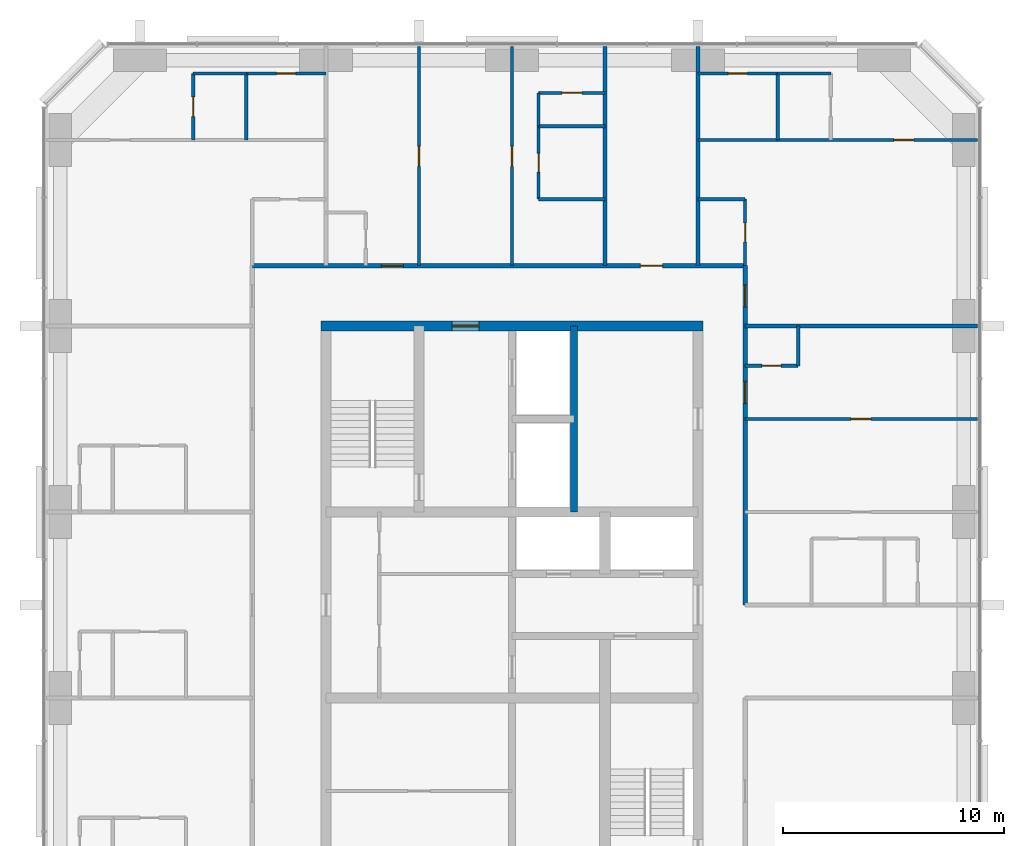
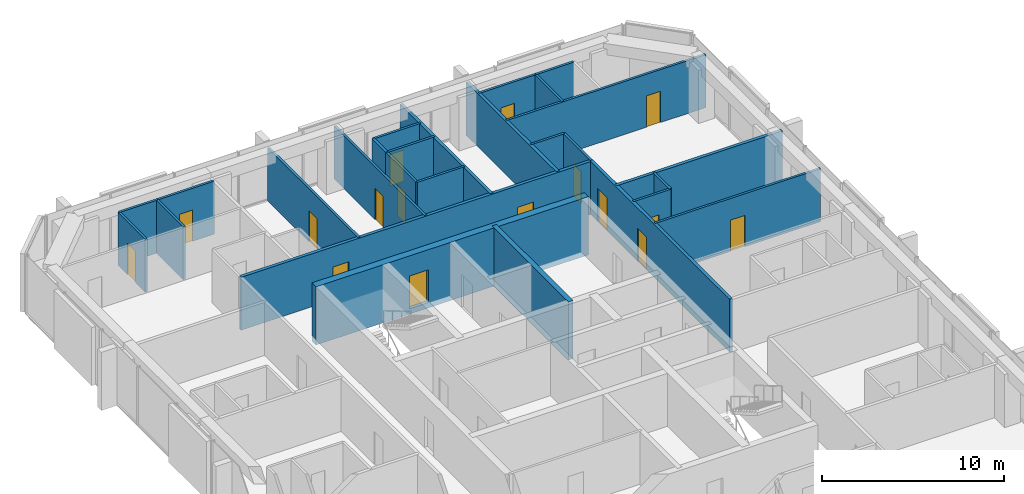
# One storey, part 10 of 12: 27 walls, 16 doors, 16 openings.
"""IFC4 building model written with IfcOpenShell, lengths in metres."""

from ifc_helpers import new_model, si_unit, direction, frame, frame_2d, origin, place, context, subcontext, project, spatial, rectangle, extrude, material, layer, layer_set, type_object, element, fill, save


model = new_model("IFC4")

# Units and contexts
model_context = context("Model", 3, precision=1e-05, world=origin(), true_north=direction((0.0, 1.0)))
body_context = subcontext(model_context, "Body", "Model", "MODEL_VIEW")
ifc_project = project(units=[si_unit("LENGTHUNIT", "METRE"), si_unit("AREAUNIT", "SQUARE_METRE"), si_unit("VOLUMEUNIT", "CUBIC_METRE"), si_unit("PLANEANGLEUNIT", "RADIAN"), si_unit("MASSUNIT", "GRAM", prefix="KILO")], contexts=[model_context])

# Site, building, storey
site_placement = place(None, origin())
site = spatial("IfcSite", under=ifc_project, at=site_placement, CompositionType="ELEMENT")
building_placement = place(site_placement, origin())
building = spatial("IfcBuilding", under=site, at=building_placement, Name="Dunama Terrace Hotel", CompositionType="ELEMENT")
storey_placement = place(building_placement, frame((0.0, 0.0, 245.10009765625)))
storey = spatial("IfcBuildingStorey", under=building, at=storey_placement, Name="L63", CompositionType="ELEMENT", Elevation=245.10009765625)

# Wall, opening, door
ifc_material_1 = material(Name="Gypsum board partition", Category="masonry")
ifc_layer_1 = layer(ifc_material_1, 0.14990234375)
ifc_layer_set_1 = layer_set([ifc_layer_1], Name="Bathroom partition 150")
wall_type_1 = type_object("IfcWallType", Name="Bathroom partition 150", PredefinedType="PARTITIONING", material=ifc_layer_set_1)
wall_1_placement = place(storey_placement, frame((34.800048828125, 47.72509765625, 0.0), z_axis=(0.0, 0.0, 1.0), x_axis=(0.0, 1.0, 0.0)))
wall_1 = element("IfcWall", 1, at=wall_1_placement, inside=storey, type_object=wall_type_1, Name="Bathroom partition 150 L63", PredefinedType="PARTITIONING", context=body_context, shape_type="SweptSolid", body=[
    extrude(rectangle(XDim=3.2998046875, YDim=0.14990234375, at=frame_2d((1.64990234375, 0.0))), origin(), (0.0, 0.0, 1.0), 3.5498046875),
])
opening_1_placement = place(wall_1_placement, frame((1.22509765625, 0.0, 0.0)))
opening_1 = element("IfcOpeningElement", 2, at=opening_1_placement, cuts=wall_1, Name="Opening L62-64-029", PredefinedType="OPENING", context=body_context, shape_type="SweptSolid", body=[
    extrude(rectangle(XDim=0.85009765625, YDim=2.10009765625, at=frame_2d((0.425048828125, 1.050048828125))), frame((0.0, 0.0849609375, 0.0), z_axis=(0.0, -1.0, 0.0), x_axis=(1.0, 0.0, 0.0)), (0.0, 0.0, 1.0), 0.169921875),
])
ifc_material_2 = material(Name="Timber door with steel frame", Category="steel")
door_type_1 = type_object("IfcDoorType", Name="Bathroom door 850", OperationType="SINGLE_SWING_LEFT", PredefinedType="DOOR", material=ifc_material_2)
door_1_placement = place(opening_1_placement, frame((0.85009765625, 0.0, 0.0), z_axis=(0.0, 0.0, 1.0), x_axis=(-1.0, 0.0, 0.0)))
door_1 = element("IfcDoor", 3, at=door_1_placement, inside=storey, type_object=door_type_1, Name="Door to en-suite bathroom L62-64-029, type D2", OperationType="SINGLE_SWING_RIGHT", OverallHeight=2.10009765625, OverallWidth=0.85009765625, PredefinedType="DOOR", context=body_context, shape_type="SweptSolid", body=[
    extrude(rectangle(XDim=0.85009765625, YDim=2.10009765625, at=frame_2d((0.425048828125, 1.050048828125))), frame((0.0, 0.025146484375, 0.0), z_axis=(0.0, -1.0, 0.0), x_axis=(1.0, 0.0, 0.0)), (0.0, 0.0, 1.0), 0.050048828125),
])
fill(opening_1, door_1)

wall_2_placement = place(storey_placement, frame((44.125, 44.72509765625, 0.0), z_axis=(0.0, 0.0, 1.0), x_axis=(0.0, 1.0, 0.0)))
wall_2 = element("IfcWall", 4, at=wall_2_placement, inside=storey, type_object=wall_type_1, Name="Bathroom partition 150 L63", PredefinedType="PARTITIONING", context=body_context, shape_type="SweptSolid", body=[
    extrude(rectangle(XDim=3.0, YDim=0.14990234375, at=frame_2d((1.5, 0.0))), origin(), (0.0, 0.0, 1.0), 3.5498046875),
])
opening_2_placement = place(wall_2_placement, frame((1.074951171875, 0.0, 0.0)))
opening_2 = element("IfcOpeningElement", 5, at=opening_2_placement, cuts=wall_2, Name="Opening L62-64-052", PredefinedType="OPENING", context=body_context, shape_type="SweptSolid", body=[
    extrude(rectangle(XDim=0.85009765625, YDim=2.10009765625, at=frame_2d((0.425048828125, 1.050048828125))), frame((0.0, 0.0849609375, 0.0), z_axis=(0.0, -1.0, 0.0), x_axis=(1.0, 0.0, 0.0)), (0.0, 0.0, 1.0), 0.169921875),
])
door_2_placement = place(opening_2_placement, origin())
door_2 = element("IfcDoor", 6, at=door_2_placement, inside=storey, type_object=door_type_1, Name="Door to powder room L62-64-052, type D2", OperationType="SINGLE_SWING_LEFT", OverallHeight=2.10009765625, OverallWidth=0.85009765625, PredefinedType="DOOR", context=body_context, shape_type="SweptSolid", body=[
    extrude(rectangle(XDim=0.85009765625, YDim=2.10009765625, at=frame_2d((0.425048828125, 1.050048828125))), frame((0.0, 0.02490234375, 0.0), z_axis=(0.0, -1.0, 0.0), x_axis=(1.0, 0.0, 0.0)), (0.0, 0.0, 1.0), 0.050048828125),
])
fill(opening_2, door_2)

# Wall
wall_3_placement = place(storey_placement, frame((46.52490234375, 40.199951171875, 0.0), z_axis=(0.0, 0.0, 1.0), x_axis=(0.0, 1.0, 0.0)))
element("IfcWall", 7, at=wall_3_placement, inside=storey, type_object=wall_type_1, Name="Bathroom partition 150 L63", PredefinedType="PARTITIONING", context=body_context, shape_type="SweptSolid", body=[
    extrude(rectangle(XDim=1.800048828125, YDim=0.14990234375, at=frame_2d((0.89990234375, 0.0))), origin(), (0.0, 0.0, 1.0), 3.5498046875),
])

# Wall, opening, door
wall_4_placement = place(storey_placement, frame((44.125, 40.199951171875, 0.0), z_axis=(0.0, 0.0, 1.0), x_axis=(1.0, 0.0, 0.0)))
wall_4 = element("IfcWall", 8, at=wall_4_placement, inside=storey, type_object=wall_type_1, Name="Bathroom partition 150 L63", PredefinedType="PARTITIONING", context=body_context, shape_type="SweptSolid", body=[
    extrude(rectangle(XDim=2.39990234375, YDim=0.14990234375, at=frame_2d((1.199951171875, 0.0))), origin(), (0.0, 0.0, 1.0), 3.5498046875),
])
opening_3_placement = place(wall_4_placement, frame((0.77490234375, 0.0, 0.0)))
opening_3 = element("IfcOpeningElement", 9, at=opening_3_placement, cuts=wall_4, Name="Opening L62-64-020", PredefinedType="OPENING", context=body_context, shape_type="SweptSolid", body=[
    extrude(rectangle(XDim=0.85009765625, YDim=2.10009765625, at=frame_2d((0.425048828125, 1.050048828125))), frame((0.0, 0.0849609375, 0.0), z_axis=(0.0, -1.0, 0.0), x_axis=(1.0, 0.0, 0.0)), (0.0, 0.0, 1.0), 0.169921875),
])
door_3_placement = place(opening_3_placement, origin())
door_3 = element("IfcDoor", 10, at=door_3_placement, inside=storey, type_object=door_type_1, Name="Door to powder room L62-64-020, type D2", OperationType="SINGLE_SWING_LEFT", OverallHeight=2.10009765625, OverallWidth=0.85009765625, PredefinedType="DOOR", context=body_context, shape_type="SweptSolid", body=[
    extrude(rectangle(XDim=0.85009765625, YDim=2.10009765625, at=frame_2d((0.425048828125, 1.050048828125))), frame((0.0, 0.02490234375, 0.0), z_axis=(0.0, -1.0, 0.0), x_axis=(1.0, 0.0, 0.0)), (0.0, 0.0, 1.0), 0.050048828125),
])
fill(opening_3, door_3)

# Walls
wall_5_placement = place(storey_placement, frame((34.800048828125, 47.72509765625, 0.0), z_axis=(0.0, 0.0, 1.0), x_axis=(1.0, 0.0, 0.0)))
element("IfcWall", 11, at=wall_5_placement, inside=storey, type_object=wall_type_1, Name="Bathroom partition 150 L63", PredefinedType="PARTITIONING", context=body_context, shape_type="SweptSolid", body=[
    extrude(rectangle(XDim=3.0, YDim=0.14990234375, at=frame_2d((1.5, 0.0))), origin(), (0.0, 0.0, 1.0), 3.5498046875),
])
wall_6_placement = place(storey_placement, frame((42.0, 47.72509765625, 0.0), z_axis=(0.0, 0.0, 1.0), x_axis=(1.0, 0.0, 0.0)))
element("IfcWall", 12, at=wall_6_placement, inside=storey, type_object=wall_type_1, Name="Bathroom partition 150 L63", PredefinedType="PARTITIONING", context=body_context, shape_type="SweptSolid", body=[
    extrude(rectangle(XDim=2.125, YDim=0.14990234375, at=frame_2d((1.0625, 0.0))), origin(), (0.0, 0.0, 1.0), 3.5498046875),
])

# Wall, opening, door
wall_7_placement = place(storey_placement, frame((21.60009765625, 53.39990234375, 0.0), z_axis=(0.0, 0.0, 1.0), x_axis=(1.0, 0.0, 0.0)))
wall_7 = element("IfcWall", 13, at=wall_7_placement, inside=storey, type_object=wall_type_1, Name="Bathroom partition 150 L63", PredefinedType="PARTITIONING", context=body_context, shape_type="SweptSolid", body=[
    extrude(rectangle(XDim=3.599853515625, YDim=0.14990234375, at=frame_2d((1.7998046875, 0.0))), origin(), (0.0, 0.0, 1.0), 3.5498046875),
])
opening_4_placement = place(wall_7_placement, frame((1.375, 0.0, 0.0)))
opening_4 = element("IfcOpeningElement", 14, at=opening_4_placement, cuts=wall_7, Name="Opening L62-64-059", PredefinedType="OPENING", context=body_context, shape_type="SweptSolid", body=[
    extrude(rectangle(XDim=0.85009765625, YDim=2.10009765625, at=frame_2d((0.425048828125, 1.050048828125))), frame((0.0, 0.0849609375, 0.0), z_axis=(0.0, -1.0, 0.0), x_axis=(1.0, 0.0, 0.0)), (0.0, 0.0, 1.0), 0.169921875),
])
door_4_placement = place(opening_4_placement, frame((0.85009765625, 0.0, 0.0), z_axis=(0.0, 0.0, 1.0), x_axis=(-1.0, 0.0, 0.0)))
door_4 = element("IfcDoor", 15, at=door_4_placement, inside=storey, type_object=door_type_1, Name="Door to en-suite bathroom L62-64-059, type D2", OperationType="SINGLE_SWING_LEFT", OverallHeight=2.10009765625, OverallWidth=0.85009765625, PredefinedType="DOOR", context=body_context, shape_type="SweptSolid", body=[
    extrude(rectangle(XDim=0.85009765625, YDim=2.10009765625, at=frame_2d((0.425048828125, 1.050048828125))), frame((0.0, 0.025146484375, 0.0), z_axis=(0.0, -1.0, 0.0), x_axis=(1.0, 0.0, 0.0)), (0.0, 0.0, 1.0), 0.050048828125),
])
fill(opening_4, door_4)

wall_8_placement = place(storey_placement, frame((42.0, 53.39990234375, 0.0), z_axis=(0.0, 0.0, 1.0), x_axis=(1.0, 0.0, 0.0)))
wall_8 = element("IfcWall", 16, at=wall_8_placement, inside=storey, type_object=wall_type_1, Name="Bathroom partition 150 L63", PredefinedType="PARTITIONING", context=body_context, shape_type="SweptSolid", body=[
    extrude(rectangle(XDim=3.60009765625, YDim=0.14990234375, at=frame_2d((1.800048828125, 0.0))), origin(), (0.0, 0.0, 1.0), 3.5498046875),
])
opening_5_placement = place(wall_8_placement, frame((1.375, 0.0, 0.0)))
opening_5 = element("IfcOpeningElement", 17, at=opening_5_placement, cuts=wall_8, Name="Opening L62-64-054", PredefinedType="OPENING", context=body_context, shape_type="SweptSolid", body=[
    extrude(rectangle(XDim=0.85009765625, YDim=2.10009765625, at=frame_2d((0.425048828125, 1.050048828125))), frame((0.0, 0.0849609375, 0.0), z_axis=(0.0, -1.0, 0.0), x_axis=(1.0, 0.0, 0.0)), (0.0, 0.0, 1.0), 0.169921875),
])
door_5_placement = place(opening_5_placement, frame((0.85009765625, 0.0, 0.0), z_axis=(0.0, 0.0, 1.0), x_axis=(-1.0, 0.0, 0.0)))
door_5 = element("IfcDoor", 18, at=door_5_placement, inside=storey, type_object=door_type_1, Name="Door to en-suite bathroom L62-64-054, type D2", OperationType="SINGLE_SWING_RIGHT", OverallHeight=2.10009765625, OverallWidth=0.85009765625, PredefinedType="DOOR", context=body_context, shape_type="SweptSolid", body=[
    extrude(rectangle(XDim=0.85009765625, YDim=2.10009765625, at=frame_2d((0.425048828125, 1.050048828125))), frame((0.0, 0.025146484375, 0.0), z_axis=(0.0, -1.0, 0.0), x_axis=(1.0, 0.0, 0.0)), (0.0, 0.0, 1.0), 0.050048828125),
])
fill(opening_5, door_5)

# Wall
ifc_material_3 = material(Name="Concrete C50/60", Category="concrete")
ifc_layer_2 = layer(ifc_material_3, 0.300048828125)
ifc_layer_set_2 = layer_set([ifc_layer_2], Name="Core inner wall 300")
wall_type_2 = type_object("IfcWallType", Name="Core inner wall 300", PredefinedType="SHEAR", material=ifc_layer_set_2)
wall_9_placement = place(storey_placement, frame((36.39990234375, 33.60009765625, -0.35009765625), z_axis=(0.0, 0.0, 1.0), x_axis=(0.0, 1.0, 0.0)))
element("IfcWall", 19, at=wall_9_placement, inside=storey, type_object=wall_type_2, Name="Core inner wall 300 L63", PredefinedType="SHEAR", context=body_context, shape_type="SweptSolid", body=[
    extrude(rectangle(XDim=8.39990234375, YDim=0.300048828125, at=frame_2d((4.199951171875, 0.0))), origin(), (0.0, 0.0, 1.0), 3.89990234375),
])

# Wall, opening, door
ifc_material_4 = material(Name="Concrete C50/60", Category="concrete")
ifc_layer_3 = layer(ifc_material_4, 0.449951171875)
ifc_layer_set_3 = layer_set([ifc_layer_3], Name="Core wall 450")
wall_type_3 = type_object("IfcWallType", Name="Core wall 450", PredefinedType="SHEAR", material=ifc_layer_set_3)
wall_10_placement = place(storey_placement, frame((42.22509765625, 42.0, -0.35009765625), z_axis=(0.0, 0.0, 1.0), x_axis=(-1.0, 0.0, 0.0)))
wall_10 = element("IfcWall", 20, at=wall_10_placement, inside=storey, type_object=wall_type_3, Name="Core wall north L63", PredefinedType="SHEAR", context=body_context, shape_type="SweptSolid", body=[
    extrude(rectangle(XDim=17.25, YDim=0.449951171875, at=frame_2d((8.625, 0.0))), origin(), (0.0, 0.0, 1.0), 3.89990234375),
])
opening_6_placement = place(wall_10_placement, frame((10.125, 0.0, 0.35009765625)))
opening_6 = element("IfcOpeningElement", 21, at=opening_6_placement, cuts=wall_10, Name="Opening L62-64-067", PredefinedType="OPENING", context=body_context, shape_type="SweptSolid", body=[
    extrude(rectangle(XDim=1.199951171875, YDim=2.199951171875, at=frame_2d((0.60009765625, 1.10009765625))), frame((0.0, 0.23486328125, 0.0), z_axis=(0.0, -1.0, 0.0), x_axis=(1.0, 0.0, 0.0)), (0.0, 0.0, 1.0), 0.469970703125),
])
ifc_material_5 = material(Name="Timber door with steel frame", Category="steel")
door_type_2 = type_object("IfcDoorType", Name="Firefighting lobby door 1200", OperationType="SINGLE_SWING_LEFT", PredefinedType="DOOR", material=ifc_material_5)
door_6_placement = place(opening_6_placement, origin())
door_6 = element("IfcDoor", 22, at=door_6_placement, inside=storey, type_object=door_type_2, Name="Door to firefighting lobby L62-64-067, type D4", OperationType="SINGLE_SWING_RIGHT", OverallHeight=2.199951171875, OverallWidth=1.199951171875, PredefinedType="DOOR", context=body_context, shape_type="SweptSolid", body=[
    extrude(rectangle(XDim=1.199951171875, YDim=2.199951171875, at=frame_2d((0.60009765625, 1.10009765625))), frame((0.0, 0.02490234375, 0.0), z_axis=(0.0, -1.0, 0.0), x_axis=(1.0, 0.0, 0.0)), (0.0, 0.0, 1.0), 0.050048828125),
])
fill(opening_6, door_6)

# Wall, openings, doors
ifc_material_6 = material(Name="Concrete blockwork", Category="masonry")
ifc_layer_4 = layer(ifc_material_6, 0.199951171875)
ifc_layer_set_4 = layer_set([ifc_layer_4], Name="Corridor partition 200")
wall_type_4 = type_object("IfcWallType", Name="Corridor partition 200", PredefinedType="PARTITIONING", material=ifc_layer_set_4)
wall_11_placement = place(storey_placement, frame((21.875, 44.72509765625, 0.0), z_axis=(0.0, 0.0, 1.0), x_axis=(1.0, 0.0, 0.0)))
wall_11 = element("IfcWall", 23, at=wall_11_placement, inside=storey, type_object=wall_type_4, Name="Corridor partition 200 L63", PredefinedType="PARTITIONING", context=body_context, shape_type="SweptSolid", body=[
    extrude(rectangle(XDim=22.25, YDim=0.199951171875, at=frame_2d((11.125, 0.0))), origin(), (0.0, 0.0, 1.0), 3.5498046875),
])
opening_7_placement = place(wall_11_placement, frame((5.824951171875, 0.0, 0.0)))
opening_7 = element("IfcOpeningElement", 24, at=opening_7_placement, cuts=wall_11, Name="Opening L62-64-025", PredefinedType="OPENING", context=body_context, shape_type="SweptSolid", body=[
    extrude(rectangle(XDim=1.0, YDim=2.199951171875, at=frame_2d((0.5, 1.10009765625))), frame((0.0, 0.10986328125, 0.0), z_axis=(0.0, -1.0, 0.0), x_axis=(1.0, 0.0, 0.0)), (0.0, 0.0, 1.0), 0.219970703125),
])
opening_8_placement = place(wall_11_placement, frame((17.52490234375, 0.0, 0.0)))
opening_8 = element("IfcOpeningElement", 25, at=opening_8_placement, cuts=wall_11, Name="Opening L62-64-031", PredefinedType="OPENING", context=body_context, shape_type="SweptSolid", body=[
    extrude(rectangle(XDim=1.0, YDim=2.10009765625, at=frame_2d((0.5, 1.050048828125))), frame((0.0, 0.10986328125, 0.0), z_axis=(0.0, -1.0, 0.0), x_axis=(1.0, 0.0, 0.0)), (0.0, 0.0, 1.0), 0.219970703125),
])
ifc_material_7 = material(Name="Timber door with steel frame", Category="steel")
door_type_3 = type_object("IfcDoorType", Name="Guest room door 1000", OperationType="SINGLE_SWING_LEFT", PredefinedType="DOOR", material=ifc_material_7)
door_7_placement = place(opening_7_placement, origin())
door_7 = element("IfcDoor", 26, at=door_7_placement, inside=storey, type_object=door_type_3, Name="Door to ambassador suite living room L62-64-025, type D1", OperationType="SINGLE_SWING_LEFT", OverallHeight=2.199951171875, OverallWidth=1.0, PredefinedType="DOOR", context=body_context, shape_type="SweptSolid", body=[
    extrude(rectangle(XDim=1.0, YDim=2.199951171875, at=frame_2d((0.5, 1.10009765625))), frame((0.0, 0.02490234375, 0.0), z_axis=(0.0, -1.0, 0.0), x_axis=(1.0, 0.0, 0.0)), (0.0, 0.0, 1.0), 0.050048828125),
])
fill(opening_7, door_7)
ifc_material_8 = material(Name="Timber door with steel frame", Category="steel")
door_type_4 = type_object("IfcDoorType", Name="Service door 1000", OperationType="SINGLE_SWING_LEFT", PredefinedType="DOOR", material=ifc_material_8)
door_8_placement = place(opening_8_placement, origin())
door_8 = element("IfcDoor", 27, at=door_8_placement, inside=storey, type_object=door_type_4, Name="Door to butler pantry L62-64-031, type D7", OperationType="SINGLE_SWING_LEFT", OverallHeight=2.10009765625, OverallWidth=1.0, PredefinedType="DOOR", context=body_context, shape_type="SweptSolid", body=[
    extrude(rectangle(XDim=1.0, YDim=2.10009765625, at=frame_2d((0.5, 1.050048828125))), frame((0.0, 0.02490234375, 0.0), z_axis=(0.0, -1.0, 0.0), x_axis=(1.0, 0.0, 0.0)), (0.0, 0.0, 1.0), 0.050048828125),
])
fill(opening_8, door_8)

wall_12_placement = place(storey_placement, frame((44.125, 44.72509765625, 0.0), z_axis=(0.0, 0.0, 1.0), x_axis=(0.0, -1.0, 0.0)))
wall_12 = element("IfcWall", 28, at=wall_12_placement, inside=storey, type_object=wall_type_4, Name="Corridor partition 200 L63", PredefinedType="PARTITIONING", context=body_context, shape_type="SweptSolid", body=[
    extrude(rectangle(XDim=15.3251953125, YDim=0.199951171875, at=frame_2d((7.66259765625, 0.0))), origin(), (0.0, 0.0, 1.0), 3.5498046875),
])
opening_9_placement = place(wall_12_placement, frame((5.22509765625, 0.0, 0.0)))
opening_9 = element("IfcOpeningElement", 29, at=opening_9_placement, cuts=wall_12, Name="Opening L62-64-019", PredefinedType="OPENING", context=body_context, shape_type="SweptSolid", body=[
    extrude(rectangle(XDim=1.0, YDim=2.199951171875, at=frame_2d((0.5, 1.10009765625))), frame((0.0, 0.10986328125, 0.0), z_axis=(0.0, -1.0, 0.0), x_axis=(1.0, 0.0, 0.0)), (0.0, 0.0, 1.0), 0.219970703125),
])
opening_10_placement = place(wall_12_placement, frame((0.863037109375, 0.0, 0.0)))
opening_10 = element("IfcOpeningElement", 30, at=opening_10_placement, cuts=wall_12, Name="Opening L62-64-051", PredefinedType="OPENING", context=body_context, shape_type="SweptSolid", body=[
    extrude(rectangle(XDim=1.0, YDim=2.199951171875, at=frame_2d((0.5, 1.10009765625))), frame((0.0, 0.10986328125, 0.0), z_axis=(0.0, -1.0, 0.0), x_axis=(1.0, 0.0, 0.0)), (0.0, 0.0, 1.0), 0.219970703125),
])
door_9_placement = place(opening_9_placement, origin())
door_9 = element("IfcDoor", 31, at=door_9_placement, inside=storey, type_object=door_type_3, Name="Door to ambassador suite living room L62-64-019, type D1", OperationType="SINGLE_SWING_LEFT", OverallHeight=2.199951171875, OverallWidth=1.0, PredefinedType="DOOR", context=body_context, shape_type="SweptSolid", body=[
    extrude(rectangle(XDim=1.0, YDim=2.199951171875, at=frame_2d((0.5, 1.10009765625))), frame((0.0, 0.02490234375, 0.0), z_axis=(0.0, -1.0, 0.0), x_axis=(1.0, 0.0, 0.0)), (0.0, 0.0, 1.0), 0.050048828125),
])
fill(opening_9, door_9)
door_10_placement = place(opening_10_placement, origin())
door_10 = element("IfcDoor", 32, at=door_10_placement, inside=storey, type_object=door_type_3, Name="Door to grand corner suite living room L62-64-051, type D1", OperationType="SINGLE_SWING_RIGHT", OverallHeight=2.199951171875, OverallWidth=1.0, PredefinedType="DOOR", context=body_context, shape_type="SweptSolid", body=[
    extrude(rectangle(XDim=1.0, YDim=2.199951171875, at=frame_2d((0.5, 1.10009765625))), frame((0.0, 0.02490234375, 0.0), z_axis=(0.0, -1.0, 0.0), x_axis=(1.0, 0.0, 0.0)), (0.0, 0.0, 1.0), 0.050048828125),
])
fill(opening_10, door_10)

# Walls
ifc_material_9 = material(Name="Concrete blockwork", Category="masonry")
ifc_layer_5 = layer(ifc_material_9, 0.199951171875)
ifc_layer_set_5 = layer_set([ifc_layer_5], Name="Party wall 200")
wall_type_5 = type_object("IfcWallType", Name="Party wall 200", PredefinedType="PARTITIONING", material=ifc_layer_set_5)
for number, where, z_axis, x_axis, name in (
    (33, (37.800048828125, 44.72509765625, 0.0), (0.0, 0.0, 1.0), (0.0, 1.0, 0.0), "Party wall 200 L63"),
    (34, (42.0, 44.72509765625, 0.0), (0.0, 0.0, 1.0), (0.0, 1.0, 0.0), "Party wall 200 L63"),
):
    element("IfcWall", number, at=place(storey_placement, frame(where, z_axis=z_axis, x_axis=x_axis)), inside=storey, type_object=wall_type_5, Name=name, PredefinedType="PARTITIONING", context=body_context, shape_type="SweptSolid", body=[
        extrude(rectangle(XDim=9.892822265625, YDim=0.199951171875, at=frame_2d((4.9462890625, 0.0))), origin(), (0.0, 0.0, 1.0), 3.5498046875),
    ])
wall_13_placement = place(storey_placement, frame((44.125, 42.0, 0.0), z_axis=(0.0, 0.0, 1.0), x_axis=(1.0, 0.0, 0.0)))
element("IfcWall", 35, at=wall_13_placement, inside=storey, type_object=wall_type_5, Name="Party wall 200 L63", PredefinedType="PARTITIONING", context=body_context, shape_type="SweptSolid", body=[
    extrude(rectangle(XDim=10.492919921875, YDim=0.199951171875, at=frame_2d((5.24658203125, 0.0))), origin(), (0.0, 0.0, 1.0), 3.5498046875),
])

# Wall, opening, door
ifc_material_10 = material(Name="Gypsum board partition", Category="masonry")
ifc_layer_6 = layer(ifc_material_10, 0.14990234375)
ifc_layer_set_6 = layer_set([ifc_layer_6], Name="Room partition 150")
wall_type_6 = type_object("IfcWallType", Name="Room partition 150", PredefinedType="PARTITIONING", material=ifc_layer_set_6)
wall_14_placement = place(storey_placement, frame((19.199951171875, 50.39990234375, 0.0), z_axis=(0.0, 0.0, 1.0), x_axis=(0.0, 1.0, 0.0)))
wall_14 = element("IfcWall", 36, at=wall_14_placement, inside=storey, type_object=wall_type_6, Name="Room partition 150 L63", PredefinedType="PARTITIONING", context=body_context, shape_type="SweptSolid", body=[
    extrude(rectangle(XDim=3.0, YDim=0.14990234375, at=frame_2d((1.5, 0.0))), origin(), (0.0, 0.0, 1.0), 3.5498046875),
])
opening_11_placement = place(wall_14_placement, frame((1.050048828125, 0.0, 0.0)))
opening_11 = element("IfcOpeningElement", 37, at=opening_11_placement, cuts=wall_14, Name="Opening L62-64-060", PredefinedType="OPENING", context=body_context, shape_type="SweptSolid", body=[
    extrude(rectangle(XDim=0.89990234375, YDim=2.10009765625, at=frame_2d((0.449951171875, 1.050048828125))), frame((0.0, 0.0849609375, 0.0), z_axis=(0.0, -1.0, 0.0), x_axis=(1.0, 0.0, 0.0)), (0.0, 0.0, 1.0), 0.169921875),
])
ifc_material_11 = material(Name="Timber door with steel frame", Category="steel")
door_type_5 = type_object("IfcDoorType", Name="Suite internal door 900", OperationType="SINGLE_SWING_LEFT", PredefinedType="DOOR", material=ifc_material_11)
door_11_placement = place(opening_11_placement, frame((0.89990234375, 0.0, 0.0), z_axis=(0.0, 0.0, 1.0), x_axis=(-1.0, 0.0, 0.0)))
door_11 = element("IfcDoor", 38, at=door_11_placement, inside=storey, type_object=door_type_5, Name="Door to dressing room L62-64-060, type D16", OperationType="SINGLE_SWING_RIGHT", OverallHeight=2.10009765625, OverallWidth=0.89990234375, PredefinedType="DOOR", context=body_context, shape_type="SweptSolid", body=[
    extrude(rectangle(XDim=0.89990234375, YDim=2.10009765625, at=frame_2d((0.449951171875, 1.050048828125))), frame((0.0, 0.025146484375, 0.0), z_axis=(0.0, -1.0, 0.0), x_axis=(1.0, 0.0, 0.0)), (0.0, 0.0, 1.0), 0.050048828125),
])
fill(opening_11, door_11)

# Wall
wall_15_placement = place(storey_placement, frame((21.60009765625, 50.39990234375, 0.0), z_axis=(0.0, 0.0, 1.0), x_axis=(0.0, 1.0, 0.0)))
element("IfcWall", 39, at=wall_15_placement, inside=storey, type_object=wall_type_6, Name="Room partition 150 L63", PredefinedType="PARTITIONING", context=body_context, shape_type="SweptSolid", body=[
    extrude(rectangle(XDim=3.0, YDim=0.14990234375, at=frame_2d((1.5, 0.0))), origin(), (0.0, 0.0, 1.0), 3.5498046875),
])

# Wall, opening, door
wall_16_placement = place(storey_placement, frame((29.39990234375, 44.72509765625, 0.0), z_axis=(0.0, 0.0, 1.0), x_axis=(0.0, 1.0, 0.0)))
wall_16 = element("IfcWall", 40, at=wall_16_placement, inside=storey, type_object=wall_type_6, Name="Room partition 150 L63", PredefinedType="PARTITIONING", context=body_context, shape_type="SweptSolid", body=[
    extrude(rectangle(XDim=9.892822265625, YDim=0.14990234375, at=frame_2d((4.9462890625, 0.0))), origin(), (0.0, 0.0, 1.0), 3.5498046875),
])
opening_12_placement = place(wall_16_placement, frame((4.487060546875, 0.0, 0.0)))
opening_12 = element("IfcOpeningElement", 41, at=opening_12_placement, cuts=wall_16, Name="Opening L62-64-027", PredefinedType="OPENING", context=body_context, shape_type="SweptSolid", body=[
    extrude(rectangle(XDim=0.89990234375, YDim=2.10009765625, at=frame_2d((0.449951171875, 1.050048828125))), frame((0.0, 0.0849609375, 0.0), z_axis=(0.0, -1.0, 0.0), x_axis=(1.0, 0.0, 0.0)), (0.0, 0.0, 1.0), 0.169921875),
])
door_12_placement = place(opening_12_placement, origin())
door_12 = element("IfcDoor", 42, at=door_12_placement, inside=storey, type_object=door_type_5, Name="Door to ambassador suite study L62-64-027, type D16", OperationType="SINGLE_SWING_LEFT", OverallHeight=2.10009765625, OverallWidth=0.89990234375, PredefinedType="DOOR", context=body_context, shape_type="SweptSolid", body=[
    extrude(rectangle(XDim=0.89990234375, YDim=2.10009765625, at=frame_2d((0.449951171875, 1.050048828125))), frame((0.0, 0.02490234375, 0.0), z_axis=(0.0, -1.0, 0.0), x_axis=(1.0, 0.0, 0.0)), (0.0, 0.0, 1.0), 0.050048828125),
])
fill(opening_12, door_12)

wall_17_placement = place(storey_placement, frame((33.60009765625, 44.72509765625, 0.0), z_axis=(0.0, 0.0, 1.0), x_axis=(0.0, 1.0, 0.0)))
wall_17 = element("IfcWall", 43, at=wall_17_placement, inside=storey, type_object=wall_type_6, Name="Room partition 150 L63", PredefinedType="PARTITIONING", context=body_context, shape_type="SweptSolid", body=[
    extrude(rectangle(XDim=9.892822265625, YDim=0.14990234375, at=frame_2d((4.9462890625, 0.0))), origin(), (0.0, 0.0, 1.0), 3.5498046875),
])
opening_13_placement = place(wall_17_placement, frame((4.487060546875, 0.0, 0.0)))
opening_13 = element("IfcOpeningElement", 44, at=opening_13_placement, cuts=wall_17, Name="Opening L62-64-028", PredefinedType="OPENING", context=body_context, shape_type="SweptSolid", body=[
    extrude(rectangle(XDim=0.89990234375, YDim=2.10009765625, at=frame_2d((0.449951171875, 1.050048828125))), frame((0.0, 0.0849609375, 0.0), z_axis=(0.0, -1.0, 0.0), x_axis=(1.0, 0.0, 0.0)), (0.0, 0.0, 1.0), 0.169921875),
])
door_13_placement = place(opening_13_placement, frame((0.89990234375, 0.0, 0.0), z_axis=(0.0, 0.0, 1.0), x_axis=(-1.0, 0.0, 0.0)))
door_13 = element("IfcDoor", 45, at=door_13_placement, inside=storey, type_object=door_type_5, Name="Door to ambassador suite bedroom L62-64-028, type D16", OperationType="SINGLE_SWING_RIGHT", OverallHeight=2.10009765625, OverallWidth=0.89990234375, PredefinedType="DOOR", context=body_context, shape_type="SweptSolid", body=[
    extrude(rectangle(XDim=0.89990234375, YDim=2.10009765625, at=frame_2d((0.449951171875, 1.050048828125))), frame((0.0, 0.025146484375, 0.0), z_axis=(0.0, -1.0, 0.0), x_axis=(1.0, 0.0, 0.0)), (0.0, 0.0, 1.0), 0.050048828125),
])
fill(opening_13, door_13)

# Walls
wall_18_placement = place(storey_placement, frame((34.800048828125, 51.02490234375, 0.0), z_axis=(0.0, 0.0, 1.0), x_axis=(0.0, 1.0, 0.0)))
element("IfcWall", 46, at=wall_18_placement, inside=storey, type_object=wall_type_6, Name="Room partition 150 L63", PredefinedType="PARTITIONING", context=body_context, shape_type="SweptSolid", body=[
    extrude(rectangle(XDim=1.5, YDim=0.14990234375, at=frame_2d((0.75, 0.0))), origin(), (0.0, 0.0, 1.0), 3.5498046875),
])
wall_19_placement = place(storey_placement, frame((45.60009765625, 50.39990234375, 0.0), z_axis=(0.0, 0.0, 1.0), x_axis=(0.0, 1.0, 0.0)))
element("IfcWall", 47, at=wall_19_placement, inside=storey, type_object=wall_type_6, Name="Room partition 150 L63", PredefinedType="PARTITIONING", context=body_context, shape_type="SweptSolid", body=[
    extrude(rectangle(XDim=3.0, YDim=0.14990234375, at=frame_2d((1.5, 0.0))), origin(), (0.0, 0.0, 1.0), 3.5498046875),
])

# Wall, opening, door
wall_20_placement = place(storey_placement, frame((44.125, 37.800048828125, 0.0), z_axis=(0.0, 0.0, 1.0), x_axis=(1.0, 0.0, 0.0)))
wall_20 = element("IfcWall", 48, at=wall_20_placement, inside=storey, type_object=wall_type_6, Name="Room partition 150 L63", PredefinedType="PARTITIONING", context=body_context, shape_type="SweptSolid", body=[
    extrude(rectangle(XDim=10.492919921875, YDim=0.14990234375, at=frame_2d((5.24658203125, 0.0))), origin(), (0.0, 0.0, 1.0), 3.5498046875),
])
opening_14_placement = place(wall_20_placement, frame((4.787109375, 0.0, 0.0)))
opening_14 = element("IfcOpeningElement", 49, at=opening_14_placement, cuts=wall_20, Name="Opening L62-64-021", PredefinedType="OPENING", context=body_context, shape_type="SweptSolid", body=[
    extrude(rectangle(XDim=0.89990234375, YDim=2.10009765625, at=frame_2d((0.449951171875, 1.050048828125))), frame((0.0, 0.0849609375, 0.0), z_axis=(0.0, -1.0, 0.0), x_axis=(1.0, 0.0, 0.0)), (0.0, 0.0, 1.0), 0.169921875),
])
door_14_placement = place(opening_14_placement, origin())
door_14 = element("IfcDoor", 50, at=door_14_placement, inside=storey, type_object=door_type_5, Name="Door to ambassador suite study L62-64-021, type D16", OperationType="SINGLE_SWING_LEFT", OverallHeight=2.10009765625, OverallWidth=0.89990234375, PredefinedType="DOOR", context=body_context, shape_type="SweptSolid", body=[
    extrude(rectangle(XDim=0.89990234375, YDim=2.10009765625, at=frame_2d((0.449951171875, 1.050048828125))), frame((0.0, 0.02490234375, 0.0), z_axis=(0.0, -1.0, 0.0), x_axis=(1.0, 0.0, 0.0)), (0.0, 0.0, 1.0), 0.050048828125),
])
fill(opening_14, door_14)

wall_21_placement = place(storey_placement, frame((42.0, 50.39990234375, 0.0), z_axis=(0.0, 0.0, 1.0), x_axis=(1.0, 0.0, 0.0)))
wall_21 = element("IfcWall", 51, at=wall_21_placement, inside=storey, type_object=wall_type_6, Name="Room partition 150 L63", PredefinedType="PARTITIONING", context=body_context, shape_type="SweptSolid", body=[
    extrude(rectangle(XDim=12.617919921875, YDim=0.14990234375, at=frame_2d((6.30908203125, 0.0))), origin(), (0.0, 0.0, 1.0), 3.5498046875),
])
opening_15_placement = place(wall_21_placement, frame((8.85009765625, 0.0, 0.0)))
opening_15 = element("IfcOpeningElement", 52, at=opening_15_placement, cuts=wall_21, Name="Opening L62-64-053", PredefinedType="OPENING", context=body_context, shape_type="SweptSolid", body=[
    extrude(rectangle(XDim=0.89990234375, YDim=2.10009765625, at=frame_2d((0.449951171875, 1.050048828125))), frame((0.0, 0.0849609375, 0.0), z_axis=(0.0, -1.0, 0.0), x_axis=(1.0, 0.0, 0.0)), (0.0, 0.0, 1.0), 0.169921875),
])
door_15_placement = place(opening_15_placement, origin())
door_15 = element("IfcDoor", 53, at=door_15_placement, inside=storey, type_object=door_type_5, Name="Door to grand corner suite bedroom L62-64-053, type D16", OperationType="SINGLE_SWING_RIGHT", OverallHeight=2.10009765625, OverallWidth=0.89990234375, PredefinedType="DOOR", context=body_context, shape_type="SweptSolid", body=[
    extrude(rectangle(XDim=0.89990234375, YDim=2.10009765625, at=frame_2d((0.449951171875, 1.050048828125))), frame((0.0, 0.02490234375, 0.0), z_axis=(0.0, -1.0, 0.0), x_axis=(1.0, 0.0, 0.0)), (0.0, 0.0, 1.0), 0.050048828125),
])
fill(opening_15, door_15)

# Wall
wall_22_placement = place(storey_placement, frame((34.800048828125, 51.02490234375, 0.0), z_axis=(0.0, 0.0, 1.0), x_axis=(1.0, 0.0, 0.0)))
element("IfcWall", 54, at=wall_22_placement, inside=storey, type_object=wall_type_6, Name="Room partition 150 L63", PredefinedType="PARTITIONING", context=body_context, shape_type="SweptSolid", body=[
    extrude(rectangle(XDim=3.0, YDim=0.14990234375, at=frame_2d((1.5, 0.0))), origin(), (0.0, 0.0, 1.0), 3.5498046875),
])

# Wall, opening, door
wall_23_placement = place(storey_placement, frame((34.800048828125, 52.52490234375, 0.0), z_axis=(0.0, 0.0, 1.0), x_axis=(1.0, 0.0, 0.0)))
wall_23 = element("IfcWall", 55, at=wall_23_placement, inside=storey, type_object=wall_type_6, Name="Room partition 150 L63", PredefinedType="PARTITIONING", context=body_context, shape_type="SweptSolid", body=[
    extrude(rectangle(XDim=3.0, YDim=0.14990234375, at=frame_2d((1.5, 0.0))), origin(), (0.0, 0.0, 1.0), 3.5498046875),
])
opening_16_placement = place(wall_23_placement, frame((1.050048828125, 0.0, 0.0)))
opening_16 = element("IfcOpeningElement", 56, at=opening_16_placement, cuts=wall_23, Name="Opening L62-64-030", PredefinedType="OPENING", context=body_context, shape_type="SweptSolid", body=[
    extrude(rectangle(XDim=0.89990234375, YDim=2.10009765625, at=frame_2d((0.449951171875, 1.050048828125))), frame((0.0, 0.0849609375, 0.0), z_axis=(0.0, -1.0, 0.0), x_axis=(1.0, 0.0, 0.0)), (0.0, 0.0, 1.0), 0.169921875),
])
door_16_placement = place(opening_16_placement, frame((0.89990234375, 0.0, 0.0), z_axis=(0.0, 0.0, 1.0), x_axis=(-1.0, 0.0, 0.0)))
door_16 = element("IfcDoor", 57, at=door_16_placement, inside=storey, type_object=door_type_5, Name="Door to walk-in wardrobe L62-64-030, type D16", OperationType="SINGLE_SWING_RIGHT", OverallHeight=2.10009765625, OverallWidth=0.89990234375, PredefinedType="DOOR", context=body_context, shape_type="SweptSolid", body=[
    extrude(rectangle(XDim=0.89990234375, YDim=2.10009765625, at=frame_2d((0.449951171875, 1.050048828125))), frame((0.0, 0.025146484375, 0.0), z_axis=(0.0, -1.0, 0.0), x_axis=(1.0, 0.0, 0.0)), (0.0, 0.0, 1.0), 0.050048828125),
])
fill(opening_16, door_16)

# Walls
wall_24_placement = place(storey_placement, frame((19.199951171875, 53.39990234375, 0.0), z_axis=(0.0, 0.0, 1.0), x_axis=(1.0, 0.0, 0.0)))
element("IfcWall", 58, at=wall_24_placement, inside=storey, type_object=wall_type_6, Name="Room partition 150 L63", PredefinedType="PARTITIONING", context=body_context, shape_type="SweptSolid", body=[
    extrude(rectangle(XDim=2.400146484375, YDim=0.14990234375, at=frame_2d((1.2001953125, 0.0))), origin(), (0.0, 0.0, 1.0), 3.5498046875),
])
wall_25_placement = place(storey_placement, frame((45.60009765625, 53.39990234375, 0.0), z_axis=(0.0, 0.0, 1.0), x_axis=(1.0, 0.0, 0.0)))
element("IfcWall", 59, at=wall_25_placement, inside=storey, type_object=wall_type_6, Name="Room partition 150 L63", PredefinedType="PARTITIONING", context=body_context, shape_type="SweptSolid", body=[
    extrude(rectangle(XDim=2.39990234375, YDim=0.14990234375, at=frame_2d((1.199951171875, 0.0))), origin(), (0.0, 0.0, 1.0), 3.5498046875),
])

save(model, "model.ifc")
